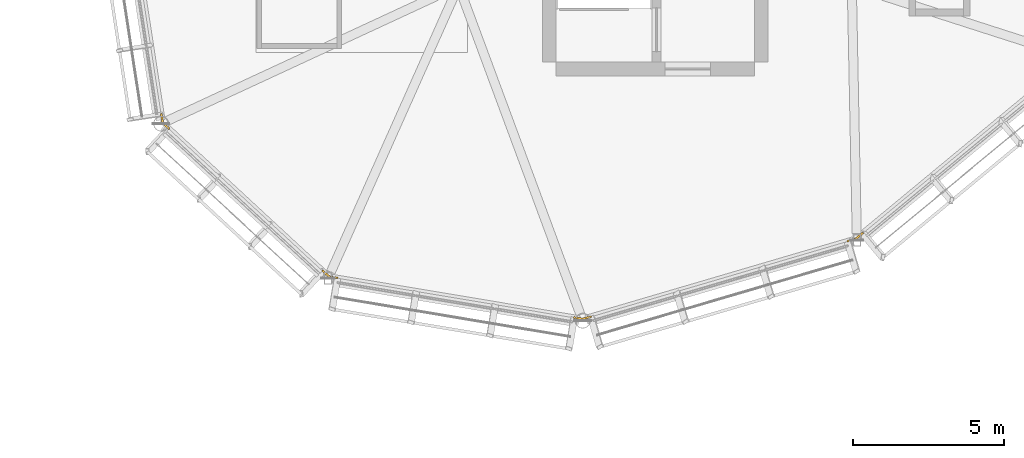
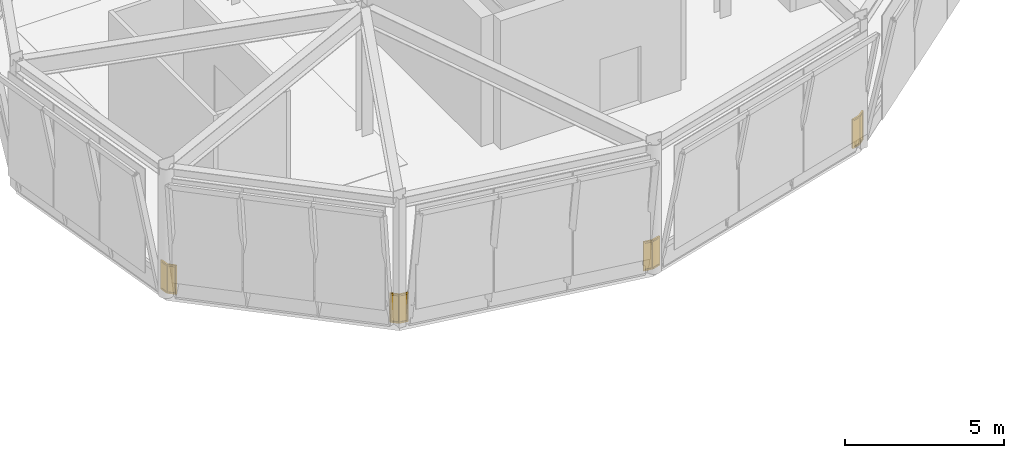
# One storey, part 110 of 113: 4 railings.
"""IFC4 building model written with IfcOpenShell, lengths in metres."""

import ifcopenshell
import ifcopenshell.guid

model = None  # the IFC model being written
_history = None  # IfcOwnerHistory: only IFC2X3 demands one
_inside = {}  # id of a spatial element -> (the spatial element, [elements in it])
_under = {}  # id of a project, library or spatial element -> (it, [spatial elements below it])
_declared = {}  # id of a project -> (the project, [libraries it declares])
_typed = {}  # id of a type object -> (the type object, [elements of that type])
_made_of = {}  # id of a material, layer set ... -> (it, [elements and type objects made of it])


def new_model(schema):
    """Start an empty IFC model of exactly this schema.

    Asked for "IFC4X3", IfcOpenShell would pick the latest addendum, in which some entities
    have other attributes; the version numbers below select the first issue.
    IFC2X3 requires an IfcOwnerHistory on every rooted entity: one is made here for all.
    """
    global model, _history
    if schema == "IFC4X3":
        model = ifcopenshell.file(schema_version=(4, 3, 0, 0))
    else:
        model = ifcopenshell.file(schema=schema)
    _inside.clear()
    _under.clear()
    _declared.clear()
    _typed.clear()
    _made_of.clear()
    _history = None
    if model.schema == "IFC2X3":
        org = make("IfcOrganization", Name="unknown")
        user = make(
            "IfcPersonAndOrganization",
            ThePerson=make("IfcPerson", FamilyName="unknown"),
            TheOrganization=org,
        )
        app = make(
            "IfcApplication",
            ApplicationDeveloper=org,
            Version="unknown",
            ApplicationFullName="unknown",
            ApplicationIdentifier="unknown",
        )
        _history = make(
            "IfcOwnerHistory",
            OwningUser=user,
            OwningApplication=app,
            ChangeAction="ADDED",
            CreationDate=0,
        )
    return model


def make(cls, **values):
    """One entity of the class cls with the attributes given. An attribute that is None is left unset."""
    return model.create_entity(
        cls, **{name: value for name, value in values.items() if value is not None}
    )


def rooted(cls, **values):
    """An entity with a GlobalId (a new one), such as an element, a storey or a relation."""
    return make(cls, GlobalId=ifcopenshell.guid.new(), OwnerHistory=_history, **values)


def si_unit(unit_type, name, prefix=None):
    """IfcSIUnit, for example si_unit("LENGTHUNIT", "METRE", prefix="MILLI")."""
    return make("IfcSIUnit", UnitType=unit_type, Prefix=prefix, Name=name)


def assignment(units):
    """IfcUnitAssignment: the units of a project."""
    return None if units is None else make("IfcUnitAssignment", Units=units)


def point(xyz):
    """IfcCartesianPoint."""
    return None if xyz is None else make("IfcCartesianPoint", Coordinates=xyz)


def direction(xyz):
    """IfcDirection."""
    return None if xyz is None else make("IfcDirection", DirectionRatios=xyz)


def frame(location, z_axis=None, x_axis=None):
    """IfcAxis2Placement3D, a coordinate frame: its origin and axes. An axis left out is left unset."""
    return make(
        "IfcAxis2Placement3D",
        Location=point(location),
        Axis=direction(z_axis),
        RefDirection=direction(x_axis),
    )


def frame_2d(location, x_axis=None):
    """IfcAxis2Placement2D, a coordinate frame in the plane: its origin and x axis."""
    return make(
        "IfcAxis2Placement2D", Location=point(location), RefDirection=direction(x_axis)
    )


def origin():
    """The frame at (0, 0, 0) with its axes left unset."""
    return frame((0.0, 0.0, 0.0))


def origin_2d():
    """The frame at (0, 0) in the plane with its x axis left unset."""
    return frame_2d((0.0, 0.0))


def place(relative_to, where):
    """IfcLocalPlacement: puts the frame where relative to a parent placement (None: the world)."""
    return make(
        "IfcLocalPlacement", PlacementRelTo=relative_to, RelativePlacement=where
    )


def context(
    kind, dimensions, precision=None, world=None, true_north=None, identifier=None
):
    """IfcGeometricRepresentationContext, for example the 3D "Model" context."""
    return make(
        "IfcGeometricRepresentationContext",
        ContextIdentifier=identifier,
        ContextType=kind,
        CoordinateSpaceDimension=dimensions,
        Precision=precision,
        WorldCoordinateSystem=world,
        TrueNorth=true_north,
    )


def subcontext(parent, identifier, kind, view, scale=None):
    """IfcGeometricRepresentationSubContext, for example "Body" below "Model"."""
    return make(
        "IfcGeometricRepresentationSubContext",
        ContextIdentifier=identifier,
        ContextType=kind,
        ParentContext=parent,
        TargetScale=scale,
        TargetView=view,
    )


def project(units=None, contexts=None):
    """IfcProject with its units and contexts."""
    return rooted(
        "IfcProject",
        Name="project",
        RepresentationContexts=contexts,
        UnitsInContext=assignment(units),
    )


def spatial(cls, under=None, at=None, **own):
    """A site, building, storey or space (cls), placed at a placement, below another one or the project."""
    s = rooted(cls, ObjectPlacement=at, **own)
    if under is not None:
        _under.setdefault(under.id(), (under, []))[1].append(s)
    return s


def profile(cls, at=None, kind="AREA", **sizes):
    """A parametric profile (cls). Its sizes go by their IFC names, for example OverallWidth=200.0."""
    return make(cls, ProfileType=kind, Position=at, **sizes)


def rectangle(**sizes):
    """IfcRectangleProfileDef."""
    return profile("IfcRectangleProfileDef", **sizes)


def extrude(swept, where, along, depth):
    """IfcExtrudedAreaSolid: the profile swept, set in the frame where, extruded along a direction by depth."""
    return make(
        "IfcExtrudedAreaSolid",
        SweptArea=swept,
        Position=where,
        ExtrudedDirection=direction(along),
        Depth=depth,
    )


def shape(context_of_items, identifier, shape_type, items):
    """IfcShapeRepresentation: the items that make up one representation, for example the "Body"."""
    return make(
        "IfcShapeRepresentation",
        ContextOfItems=context_of_items,
        RepresentationIdentifier=identifier,
        RepresentationType=shape_type,
        Items=items,
    )


def material(Name=None, Category=None):
    """IfcMaterial."""
    return make("IfcMaterial", Name=Name, Category=Category)


def made_of(thing, what):
    """Note that an element or type object is made of a material, layer set ...; save() writes the relation."""
    if what is not None:
        _made_of.setdefault(what.id(), (what, []))[1].append(thing)
    return thing


def type_object(cls, material=None, **own):
    """A type object (cls), such as IfcWallType, which elements share."""
    return made_of(rooted(cls, **own), material)


def element(
    cls,
    number,
    at=None,
    inside=None,
    cuts=None,
    type_object=None,
    material=None,
    context=None,
    identifier="Body",
    shape_type=None,
    held_by="IfcProductDefinitionShape",
    body=None,
    shapes=None,
    **own,
):
    """One element of the class cls, such as IfcWall. Its Tag is "e" and its number.

    at: its placement. inside: the storey or other place that contains it. cuts: it is an
    opening in that element (IfcRelVoidsElement). A single representation is given by context,
    identifier, shape_type and body (its items); several are given by shapes. held_by: the class
    of the entity that holds the representations. save() writes the other relations.
    """
    e = rooted(cls, Tag="e%d" % number, ObjectPlacement=at, **own)
    if body is not None:
        shapes = [shape(context, identifier, shape_type, body)]
    if shapes is not None:
        e.Representation = make(held_by, Representations=shapes)
    if inside is not None:
        _inside.setdefault(inside.id(), (inside, []))[1].append(e)
    if cuts is not None:
        rooted(
            "IfcRelVoidsElement", RelatingBuildingElement=cuts, RelatedOpeningElement=e
        )
    if type_object is not None:
        _typed.setdefault(type_object.id(), (type_object, []))[1].append(e)
    return made_of(e, material)


def aggregate(whole, parts):
    """IfcRelAggregates: a whole, such as a stair, and the parts it consists of."""
    return rooted("IfcRelAggregates", RelatingObject=whole, RelatedObjects=parts)


def save(model, path):
    """Write the relations noted so far, then the file.

    IfcRelAggregates (storeys below a building ...), IfcRelContainedInSpatialStructure (elements
    in a storey), IfcRelDefinesByType, IfcRelAssociatesMaterial and IfcRelDeclares: one each for
    every whole, place, type object, material and project.
    """
    for whole, parts in _under.values():
        aggregate(whole, parts)
    for where, things in _inside.values():
        rooted(
            "IfcRelContainedInSpatialStructure",
            RelatedElements=things,
            RelatingStructure=where,
        )
    for kind, things in _typed.values():
        rooted("IfcRelDefinesByType", RelatedObjects=things, RelatingType=kind)
    for what, things in _made_of.values():
        rooted("IfcRelAssociatesMaterial", RelatedObjects=things, RelatingMaterial=what)
    for by, libraries in _declared.values():
        rooted("IfcRelDeclares", RelatingContext=by, RelatedDefinitions=libraries)
    model.write(path)


model = new_model("IFC4")

# Units and contexts
model_context = context("Model", 3, precision=1e-05, world=origin(), true_north=direction((0.0, 1.0)))
body_context = subcontext(model_context, "Body", "Model", "MODEL_VIEW")
ifc_project = project(units=[si_unit("LENGTHUNIT", "METRE"), si_unit("AREAUNIT", "SQUARE_METRE"), si_unit("VOLUMEUNIT", "CUBIC_METRE"), si_unit("PLANEANGLEUNIT", "RADIAN"), si_unit("MASSUNIT", "GRAM", prefix="KILO")], contexts=[model_context])

# Site, building, storey
site_placement = place(None, origin())
site = spatial("IfcSite", under=ifc_project, at=site_placement, CompositionType="ELEMENT")
building_placement = place(site_placement, origin())
building = spatial("IfcBuilding", under=site, at=building_placement, Name="Linyun Crest Stadium", CompositionType="ELEMENT")
storey_placement = place(building_placement, frame((0.0, 0.0, 26.39990234375)))
storey = spatial("IfcBuildingStorey", under=building, at=storey_placement, Name="L06", CompositionType="ELEMENT", Elevation=26.39990234375)

# Railings
ifc_material = material(Name="Galvanized and powder-coated steel bowl safety barrier", Category="steel")
railing_type = type_object("IfcRailingType", Name="GR02", PredefinedType="GUARDRAIL", material=ifc_material)
railing_1_placement = place(storey_placement, frame((80.35888671875, 72.323974609375, 0.0)))
element("IfcRailing", 1, at=railing_1_placement, inside=storey, type_object=railing_type, Name="Slab edge balustrade GR02 368", PredefinedType="GUARDRAIL", context=body_context, shape_type="SweptSolid", body=[
    extrude(rectangle(XDim=0.06005859375, YDim=0.06005859375, at=origin_2d()), frame((0.0, 0.0, 1.090087890625), z_axis=(-0.771758653069, -0.635915545818, 0.0), x_axis=(0.635915545818, -0.771758653069, 0.0)), (0.0, 0.0, 1.0), 0.28759765625),
    extrude(rectangle(XDim=0.030029296875, YDim=1.0, at=origin_2d()), frame((0.0, 0.0, 0.56005859375), z_axis=(-0.771758653069, -0.635915545818, 0.0), x_axis=(0.635915545818, -0.771758653069, 0.0)), (0.0, 0.0, 1.0), 0.28759765625),
    extrude(rectangle(XDim=0.06005859375, YDim=0.06005859375, at=origin_2d()), frame((0.0, 0.0, 0.030029296875), z_axis=(-0.771758653069, -0.635915545818, 0.0), x_axis=(0.635915545818, -0.771758653069, 0.0)), (0.0, 0.0, 1.0), 0.28759765625),
    extrude(rectangle(XDim=0.06005859375, YDim=0.06005859375, at=origin_2d()), frame((-0.221923828125, -0.182861328125, 1.090087890625), z_axis=(-0.959446583049, -0.281890500506, 0.0), x_axis=(0.281890500506, -0.959446583049, 0.0)), (0.0, 0.0, 1.0), 0.28759765625),
    extrude(rectangle(XDim=0.030029296875, YDim=1.0, at=origin_2d()), frame((-0.221923828125, -0.182861328125, 0.56005859375), z_axis=(-0.959446583049, -0.281890500506, 0.0), x_axis=(0.281890500506, -0.959446583049, 0.0)), (0.0, 0.0, 1.0), 0.28759765625),
    extrude(rectangle(XDim=0.06005859375, YDim=0.06005859375, at=origin_2d()), frame((-0.221923828125, -0.182861328125, 0.030029296875), z_axis=(-0.959446583049, -0.281890500506, 0.0), x_axis=(0.281890500506, -0.959446583049, 0.0)), (0.0, 0.0, 1.0), 0.28759765625),
    extrude(rectangle(XDim=0.050048828125, YDim=0.050048828125, at=origin_2d()), origin(), (0.0, 0.0, 1.0), 1.1201171875),
    extrude(rectangle(XDim=0.050048828125, YDim=0.050048828125, at=origin_2d()), frame((-0.221923828125, -0.182861328125, 0.0)), (0.0, 0.0, 1.0), 1.1201171875),
    extrude(rectangle(XDim=0.050048828125, YDim=0.050048828125, at=origin_2d()), frame((-0.497802734375, -0.263916015625, 0.0)), (0.0, 0.0, 1.0), 1.1201171875),
])
railing_2_placement = place(storey_placement, frame((71.376953125, 69.56591796875, 0.0)))
element("IfcRailing", 2, at=railing_2_placement, inside=storey, type_object=railing_type, Name="Slab edge balustrade GR02 369", PredefinedType="GUARDRAIL", context=body_context, shape_type="SweptSolid", body=[
    extrude(rectangle(XDim=0.06005859375, YDim=0.06005859375, at=origin_2d()), frame((0.0, 0.0, 1.090087890625), z_axis=(-0.959406194526, -0.282027931073, 0.0), x_axis=(0.282027931073, -0.959406194526, 0.0)), (0.0, 0.0, 1.0), 0.28662109375),
    extrude(rectangle(XDim=0.030029296875, YDim=1.0, at=origin_2d()), frame((0.0, 0.0, 0.56005859375), z_axis=(-0.959406194526, -0.282027931073, 0.0), x_axis=(0.282027931073, -0.959406194526, 0.0)), (0.0, 0.0, 1.0), 0.28662109375),
    extrude(rectangle(XDim=0.06005859375, YDim=0.06005859375, at=origin_2d()), frame((0.0, 0.0, 0.030029296875), z_axis=(-0.959406194526, -0.282027931073, 0.0), x_axis=(0.282027931073, -0.959406194526, 0.0)), (0.0, 0.0, 1.0), 0.28662109375),
    extrude(rectangle(XDim=0.06005859375, YDim=0.06005859375, at=origin_2d()), frame((-0.27490234375, -0.080810546875, 1.090087890625), z_axis=(-0.985905166387, 0.167305119144, 0.0), x_axis=(-0.167305119144, -0.985905166387, 0.0)), (0.0, 0.0, 1.0), 0.2861328125),
    extrude(rectangle(XDim=0.030029296875, YDim=1.0, at=origin_2d()), frame((-0.27490234375, -0.080810546875, 0.56005859375), z_axis=(-0.985905166387, 0.167305119144, 0.0), x_axis=(-0.167305119144, -0.985905166387, 0.0)), (0.0, 0.0, 1.0), 0.2861328125),
    extrude(rectangle(XDim=0.06005859375, YDim=0.06005859375, at=origin_2d()), frame((-0.27490234375, -0.080810546875, 0.030029296875), z_axis=(-0.985905166387, 0.167305119144, 0.0), x_axis=(-0.167305119144, -0.985905166387, 0.0)), (0.0, 0.0, 1.0), 0.2861328125),
    extrude(rectangle(XDim=0.050048828125, YDim=0.050048828125, at=origin_2d()), origin(), (0.0, 0.0, 1.0), 1.1201171875),
    extrude(rectangle(XDim=0.050048828125, YDim=0.050048828125, at=origin_2d()), frame((-0.27490234375, -0.080810546875, 0.0)), (0.0, 0.0, 1.0), 1.1201171875),
    extrude(rectangle(XDim=0.050048828125, YDim=0.050048828125, at=origin_2d()), frame((-0.556884765625, -0.032958984375, 0.0)), (0.0, 0.0, 1.0), 1.1201171875),
])
railing_3_placement = place(storey_placement, frame((62.992919921875, 70.843994140625, 0.0)))
element("IfcRailing", 3, at=railing_3_placement, inside=storey, type_object=railing_type, Name="Slab edge balustrade GR02 370", PredefinedType="GUARDRAIL", context=body_context, shape_type="SweptSolid", body=[
    extrude(rectangle(XDim=0.06005859375, YDim=0.06005859375, at=origin_2d()), frame((0.0, 0.0, 1.090087890625), z_axis=(-0.986627241764, 0.1629929011, 0.0), x_axis=(-0.1629929011, -0.986627241764, 0.0)), (0.0, 0.0, 1.0), 0.281494140625),
    extrude(rectangle(XDim=0.030029296875, YDim=1.0, at=origin_2d()), frame((0.0, 0.0, 0.56005859375), z_axis=(-0.986627241764, 0.1629929011, 0.0), x_axis=(-0.1629929011, -0.986627241764, 0.0)), (0.0, 0.0, 1.0), 0.281494140625),
    extrude(rectangle(XDim=0.06005859375, YDim=0.06005859375, at=origin_2d()), frame((0.0, 0.0, 0.030029296875), z_axis=(-0.986627241764, 0.1629929011, 0.0), x_axis=(-0.1629929011, -0.986627241764, 0.0)), (0.0, 0.0, 1.0), 0.281494140625),
    extrude(rectangle(XDim=0.06005859375, YDim=0.06005859375, at=origin_2d()), frame((-0.27783203125, 0.0458984375, 1.090087890625), z_axis=(-0.734572019785, 0.678530727196, 0.0), x_axis=(-0.678530727196, -0.734572019785, 0.0)), (0.0, 0.0, 1.0), 0.283203125),
    extrude(rectangle(XDim=0.030029296875, YDim=1.0, at=origin_2d()), frame((-0.27783203125, 0.0458984375, 0.56005859375), z_axis=(-0.734572019785, 0.678530727196, 0.0), x_axis=(-0.678530727196, -0.734572019785, 0.0)), (0.0, 0.0, 1.0), 0.283203125),
    extrude(rectangle(XDim=0.06005859375, YDim=0.06005859375, at=origin_2d()), frame((-0.27783203125, 0.0458984375, 0.030029296875), z_axis=(-0.734572019785, 0.678530727196, 0.0), x_axis=(-0.678530727196, -0.734572019785, 0.0)), (0.0, 0.0, 1.0), 0.283203125),
    extrude(rectangle(XDim=0.050048828125, YDim=0.050048828125, at=origin_2d()), origin(), (0.0, 0.0, 1.0), 1.1201171875),
    extrude(rectangle(XDim=0.050048828125, YDim=0.050048828125, at=origin_2d()), frame((-0.27783203125, 0.0458984375, 0.0)), (0.0, 0.0, 1.0), 1.1201171875),
    extrude(rectangle(XDim=0.050048828125, YDim=0.050048828125, at=origin_2d()), frame((-0.48583984375, 0.238037109375, 0.0)), (0.0, 0.0, 1.0), 1.1201171875),
])
railing_4_placement = place(storey_placement, frame((57.426025390625, 75.780029296875, 0.0)))
element("IfcRailing", 4, at=railing_4_placement, inside=storey, type_object=railing_type, Name="Slab edge balustrade GR02 371", PredefinedType="GUARDRAIL", context=body_context, shape_type="SweptSolid", body=[
    extrude(rectangle(XDim=0.06005859375, YDim=0.06005859375, at=origin_2d()), frame((0.0, 0.0, 1.090087890625), z_axis=(-0.733663907779, 0.67951252411, 0.0), x_axis=(-0.67951252411, -0.733663907779, 0.0)), (0.0, 0.0, 1.0), 0.279541015625),
    extrude(rectangle(XDim=0.030029296875, YDim=1.0, at=origin_2d()), frame((0.0, 0.0, 0.56005859375), z_axis=(-0.733663907779, 0.67951252411, 0.0), x_axis=(-0.67951252411, -0.733663907779, 0.0)), (0.0, 0.0, 1.0), 0.279541015625),
    extrude(rectangle(XDim=0.06005859375, YDim=0.06005859375, at=origin_2d()), frame((0.0, 0.0, 0.030029296875), z_axis=(-0.733663907779, 0.67951252411, 0.0), x_axis=(-0.67951252411, -0.733663907779, 0.0)), (0.0, 0.0, 1.0), 0.279541015625),
    extrude(rectangle(XDim=0.06005859375, YDim=0.06005859375, at=origin_2d()), frame((-0.205078125, 0.18994140625, 1.090087890625), z_axis=(-0.150349133385, 0.988632964295, 0.0), x_axis=(-0.988632964295, -0.150349133385, 0.0)), (0.0, 0.0, 1.0), 0.279296875),
    extrude(rectangle(XDim=0.030029296875, YDim=1.0, at=origin_2d()), frame((-0.205078125, 0.18994140625, 0.56005859375), z_axis=(-0.150349133385, 0.988632964295, 0.0), x_axis=(-0.988632964295, -0.150349133385, 0.0)), (0.0, 0.0, 1.0), 0.279296875),
    extrude(rectangle(XDim=0.06005859375, YDim=0.06005859375, at=origin_2d()), frame((-0.205078125, 0.18994140625, 0.030029296875), z_axis=(-0.150349133385, 0.988632964295, 0.0), x_axis=(-0.988632964295, -0.150349133385, 0.0)), (0.0, 0.0, 1.0), 0.279296875),
    extrude(rectangle(XDim=0.050048828125, YDim=0.050048828125, at=origin_2d()), origin(), (0.0, 0.0, 1.0), 1.1201171875),
    extrude(rectangle(XDim=0.050048828125, YDim=0.050048828125, at=origin_2d()), frame((-0.205078125, 0.18994140625, 0.0)), (0.0, 0.0, 1.0), 1.1201171875),
    extrude(rectangle(XDim=0.050048828125, YDim=0.050048828125, at=origin_2d()), frame((-0.2470703125, 0.466064453125, 0.0)), (0.0, 0.0, 1.0), 1.1201171875),
])

save(model, "model.ifc")
